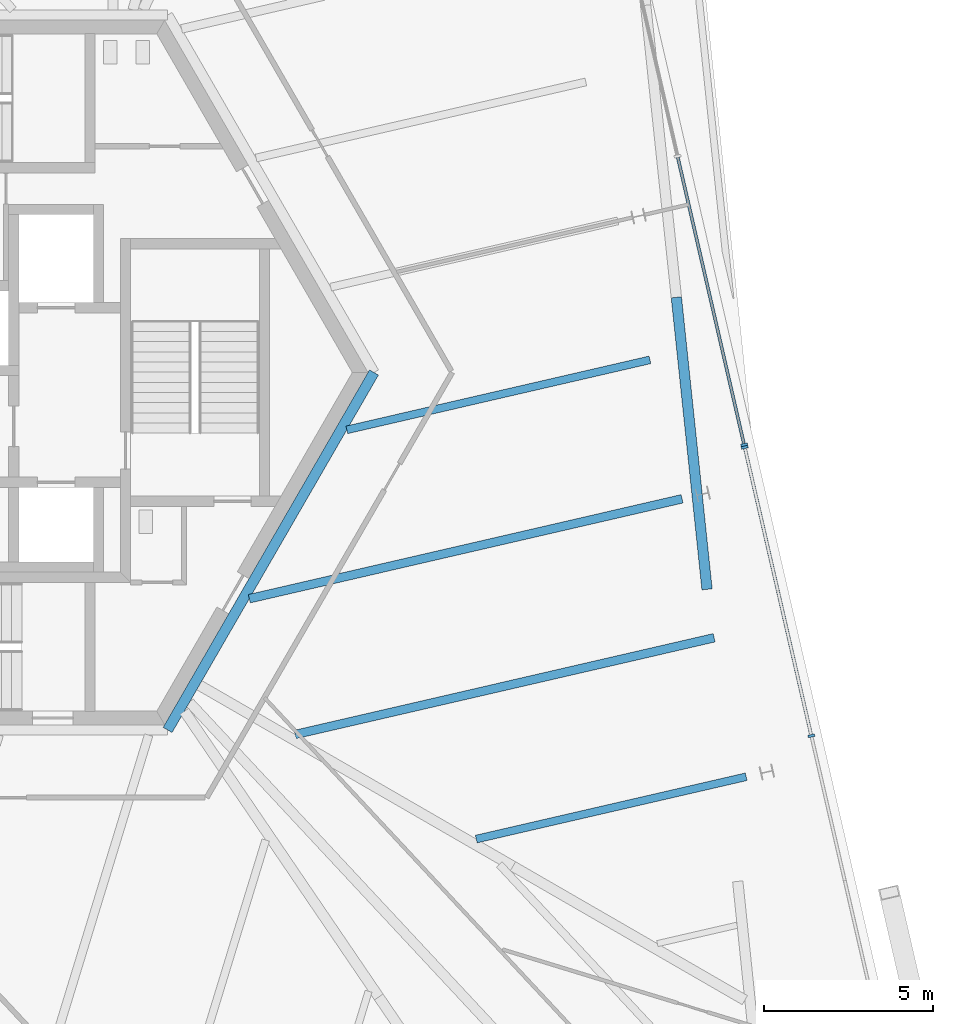
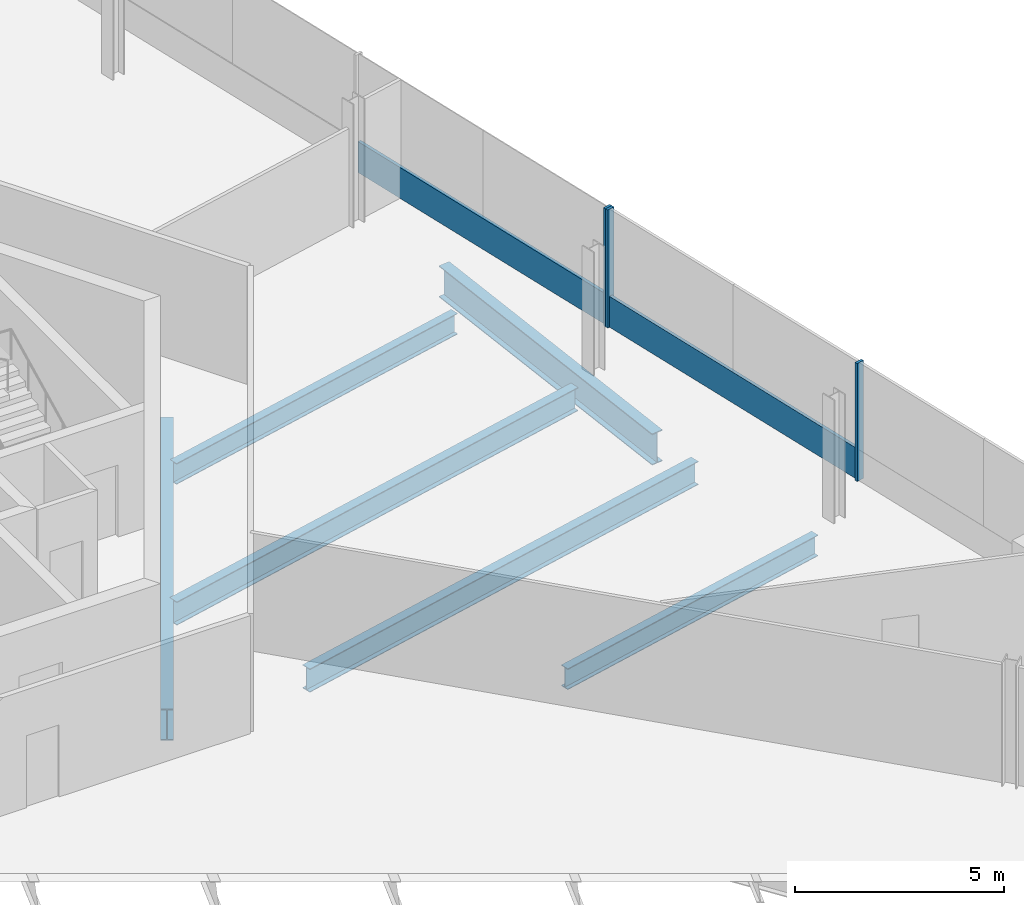
# One storey, part 7 of 25: 6 beams, 5 members, 2 elements without a shape of their own.
"""IFC4 building model written with IfcOpenShell, lengths in metres."""

from ifc_helpers import new_model, si_unit, direction, frame, origin, origin_2d, place, context, subcontext, project, spatial, rectangle, i_section, extrude, source, transform, mapped, material, material_profile, profile_set, type_object, element, aggregate, save


model = new_model("IFC4")

# Units and contexts
model_context = context("Model", 3, precision=1e-05, world=origin(), true_north=direction((0.0, 1.0)))
body_context = subcontext(model_context, "Body", "Model", "MODEL_VIEW")
ifc_project = project(units=[si_unit("LENGTHUNIT", "METRE"), si_unit("AREAUNIT", "SQUARE_METRE"), si_unit("VOLUMEUNIT", "CUBIC_METRE"), si_unit("PLANEANGLEUNIT", "RADIAN"), si_unit("MASSUNIT", "GRAM", prefix="KILO")], contexts=[model_context])

# Site, building, storey
site_placement = place(None, origin())
site = spatial("IfcSite", under=ifc_project, at=site_placement, CompositionType="ELEMENT")
building_placement = place(site_placement, origin())
building = spatial("IfcBuilding", under=site, at=building_placement, Name="Triune Harvest Tower", CompositionType="ELEMENT")
storey_placement = place(building_placement, frame((0.0, 0.0, 98.300048828125)))
storey = spatial("IfcBuildingStorey", under=building, at=storey_placement, Name="L24", CompositionType="ELEMENT", Elevation=98.300048828125)

# Beams
ifc_material_1 = material(Name="Steel ASTM A992 Gr 50", Category="steel")
ifc_material_profile_1 = material_profile(ifc_material_1, i_section(OverallWidth=0.22900390625, OverallDepth=0.612060546875, WebThickness=0.011962890625, FlangeThickness=0.01953125, at=origin_2d()), Name="W24x84")
ifc_profile_set_1 = profile_set([ifc_material_profile_1], Name="Steel ASTM A992 Gr 50")
beam_type_1 = type_object("IfcBeamType", Name="JT-3 Floor joist W24x84", PredefinedType="JOIST", material=ifc_profile_set_1)
beam_1_placement = place(storey_placement, frame((23.15673828125, -11.92529296875, -0.466064453125), z_axis=(-0.974366520216, -0.224966407007, 0.0), x_axis=(0.224966407007, -0.974366520216, 0.0)))
element("IfcBeam", 1, at=beam_1_placement, inside=storey, type_object=beam_type_1, Name="beam/L24/JT2", PredefinedType="JOIST", context=body_context, shape_type="SweptSolid", body=[
    extrude(i_section(OverallWidth=0.22900390625, OverallDepth=0.612060546875, WebThickness=0.011962890625, FlangeThickness=0.01953125, at=origin_2d()), origin(), (0.0, 0.0, 1.0), 8.1728515625),
])
ifc_material_2 = material(Name="Steel ASTM A992 Gr 50", Category="steel")
ifc_material_profile_2 = material_profile(ifc_material_2, i_section(OverallWidth=0.3046875, OverallDepth=0.914306640625, WebThickness=0.0166015625, FlangeThickness=0.02587890625, at=origin_2d()), Name="W36x160")
ifc_profile_set_2 = profile_set([ifc_material_profile_2], Name="Steel ASTM A992 Gr 50")
beam_type_2 = type_object("IfcBeamType", Name="CG-1 Core ring girder W36x160", PredefinedType="BEAM", material=ifc_profile_set_2)
shared_shape_1 = source(origin(), body_context, "Body", "SweptSolid", [
    extrude(i_section(OverallWidth=0.3046875, OverallDepth=0.914306640625, WebThickness=0.0166015625, FlangeThickness=0.02587890625, at=origin_2d()), origin(), (0.0, 0.0, 1.0), 12.176025390625),
])
beam_2_placement = place(storey_placement, frame((6.087890625, -10.544677734375, -0.6171875), z_axis=(0.5000099932, 0.866019634131, 0.0), x_axis=(-0.866019634131, 0.5000099932, 0.0)))
element("IfcBeam", 2, at=beam_2_placement, inside=storey, type_object=beam_type_2, Name="beam/L24/CG6", PredefinedType="BEAM", context=body_context, shape_type="MappedRepresentation", body=[
    mapped(shared_shape_1, transform((0.0, 0.0, 0.0), scale=1.0)),
])
ifc_material_3 = material(Name="Steel ASTM A992 Gr 50", Category="steel")
ifc_material_profile_3 = material_profile(ifc_material_3, i_section(OverallWidth=0.3046875, OverallDepth=0.914306640625, WebThickness=0.0166015625, FlangeThickness=0.02587890625, at=origin_2d()), Name="W36x160")
ifc_profile_set_3 = profile_set([ifc_material_profile_3], Name="Steel ASTM A992 Gr 50")
beam_type_3 = type_object("IfcBeamType", Name="SB-1 Spandrel beam W36x160", PredefinedType="SPANDREL", material=ifc_profile_set_3)
shared_shape_2 = source(origin(), body_context, "Body", "SweptSolid", [
    extrude(i_section(OverallWidth=0.3046875, OverallDepth=0.914306640625, WebThickness=0.0166015625, FlangeThickness=0.02587890625, at=origin_2d()), origin(), (0.0, 0.0, 1.0), 8.662109375),
])
beam_3_placement = place(storey_placement, frame((22.001708984375, -6.3974609375, -0.6171875), z_axis=(-0.104536601969, 0.994521039923, 0.0), x_axis=(-0.994521039923, -0.104536601969, 0.0)))
element("IfcBeam", 3, at=beam_3_placement, inside=storey, type_object=beam_type_3, Name="beam/L24/WB2", PredefinedType="SPANDREL", context=body_context, shape_type="MappedRepresentation", body=[
    mapped(shared_shape_2, transform((0.0, 0.0, 0.0), scale=1.0)),
])
ifc_material_4 = material(Name="Steel ASTM A992 Gr 50", Category="steel")
ifc_material_profile_4 = material_profile(ifc_material_4, i_section(OverallWidth=0.253662109375, OverallDepth=0.683349609375, WebThickness=0.012451171875, FlangeThickness=0.01904296875, at=origin_2d()), Name="W27x94")
ifc_profile_set_4 = profile_set([ifc_material_profile_4], Name="Steel ASTM A992 Gr 50")
beam_type_4 = type_object("IfcBeamType", Name="JT-4 Floor joist W27x94", PredefinedType="JOIST", material=ifc_profile_set_4)
shared_shape_3 = source(origin(), body_context, "Body", "SweptSolid", [
    extrude(i_section(OverallWidth=0.253662109375, OverallDepth=0.683349609375, WebThickness=0.012451171875, FlangeThickness=0.01904296875, at=origin_2d()), origin(), (0.0, 0.0, 1.0), 12.684814453125),
])
beam_4_placement = place(storey_placement, frame((22.21044921875, -7.825927734375, -0.501708984375), z_axis=(-0.974368808363, -0.224956496437, 0.0), x_axis=(0.224956496437, -0.974368808363, 0.0)))
element("IfcBeam", 4, at=beam_4_placement, inside=storey, type_object=beam_type_4, Name="beam/L24/JT3", PredefinedType="JOIST", context=body_context, shape_type="MappedRepresentation", body=[
    mapped(shared_shape_3, transform((0.0, 0.0, 0.0), scale=1.0)),
])
shared_shape_4 = source(origin(), body_context, "Body", "SweptSolid", [
    extrude(i_section(OverallWidth=0.253662109375, OverallDepth=0.683349609375, WebThickness=0.012451171875, FlangeThickness=0.01904296875, at=origin_2d()), origin(), (0.0, 0.0, 1.0), 13.100830078125),
])
beam_5_placement = place(storey_placement, frame((21.263916015625, -3.7265625, -0.501708984375), z_axis=(-0.974370776488, -0.224947971598, 0.0), x_axis=(0.224947971598, -0.974370776488, 0.0)))
element("IfcBeam", 5, at=beam_5_placement, inside=storey, type_object=beam_type_4, Name="beam/L24/JT4", PredefinedType="JOIST", context=body_context, shape_type="MappedRepresentation", body=[
    mapped(shared_shape_4, transform((0.0, 0.0, 0.0), scale=1.0)),
])
shared_shape_5 = source(origin(), body_context, "Body", "SweptSolid", [
    extrude(i_section(OverallWidth=0.22900390625, OverallDepth=0.612060546875, WebThickness=0.011962890625, FlangeThickness=0.01953125, at=origin_2d()), origin(), (0.0, 0.0, 1.0), 9.17724609375),
])
beam_6_placement = place(storey_placement, frame((20.3173828125, 0.372802734375, -0.466064453125), z_axis=(-0.974370118641, -0.224950821067, 0.0), x_axis=(0.224950821067, -0.974370118641, 0.0)))
element("IfcBeam", 6, at=beam_6_placement, inside=storey, type_object=beam_type_1, Name="beam/L24/JT5", PredefinedType="JOIST", context=body_context, shape_type="MappedRepresentation", body=[
    mapped(shared_shape_5, transform((0.0, 0.0, 0.0), scale=1.0)),
])

# Curtain wall, members
ifc_material_5 = material(Name="Aluminium bronze anodised", Category="aluminium")
curtain_wall_type_1 = type_object("IfcCurtainWallType", Name="CW-7 Tower stick curtain wall with insulated spandrel infill", PredefinedType="NOTDEFINED", material=ifc_material_5)
curtain_wall_1_placement = place(storey_placement, origin())
curtain_wall_1 = element("IfcCurtainWall", 7, at=curtain_wall_1_placement, inside=storey, type_object=curtain_wall_type_1, Name="CW-7 B3-F1 L24 run 101")
ifc_material_6 = material(Name="Aluminium bronze anodised", Category="aluminium")
ifc_material_profile_5 = material_profile(ifc_material_6, rectangle(XDim=0.199951171875, YDim=0.074951171875, at=origin_2d()), Name="MU-1 mullion 75 x 200")
ifc_profile_set_5 = profile_set([ifc_material_profile_5], Name="Aluminium bronze anodised")
member_type_1 = type_object("IfcMemberType", Name="MU-1 mullion 75 x 200", PredefinedType="MULLION", material=ifc_profile_set_5)
shared_shape_6 = source(origin(), body_context, "Body", "SweptSolid", [
    extrude(rectangle(XDim=0.199951171875, YDim=0.074951171875, at=origin_2d()), origin(), (0.0, 0.0, 1.0), 3.43994140625),
])
member_1_placement = place(storey_placement, frame((25.078125, -10.71826171875, 0.0), z_axis=(0.0, 0.0, 1.0), x_axis=(-0.97437034864, -0.224949824829, 0.0)))
member_1 = element("IfcMember", 8, at=member_1_placement, type_object=member_type_1, Name="CW-7 mullion B3-F1 101.3", PredefinedType="MULLION", context=body_context, shape_type="MappedRepresentation", body=[
    mapped(shared_shape_6, transform((0.0, 0.0, 0.0), scale=1.0)),
])
member_2_placement = place(storey_placement, frame((23.113037109375, -2.2060546875, 0.0), z_axis=(0.0, 0.0, 1.0), x_axis=(-0.97437034864, -0.224949824829, 0.0)))
member_2 = element("IfcMember", 9, at=member_2_placement, type_object=member_type_1, Name="CW-7 mullion B3-F1 101.5", PredefinedType="MULLION", context=body_context, shape_type="MappedRepresentation", body=[
    mapped(shared_shape_6, transform((0.0, 0.0, 0.0), scale=1.0)),
])

# Curtain wall, member
ifc_material_7 = material(Name="Aluminium bronze anodised", Category="aluminium")
curtain_wall_type_2 = type_object("IfcCurtainWallType", Name="CW-1 Tower stick curtain wall", PredefinedType="NOTDEFINED", material=ifc_material_7)
curtain_wall_2_placement = place(storey_placement, origin())
curtain_wall_2 = element("IfcCurtainWall", 10, at=curtain_wall_2_placement, inside=storey, type_object=curtain_wall_type_2, Name="CW-1 B3-F1 L24 run 1101")
member_3_placement = place(storey_placement, frame((23.095947265625, -2.133056640625, 0.0), z_axis=(0.0, 0.0, 1.0), x_axis=(-0.9743690995, -0.224955235412, 0.0)))
member_3 = element("IfcMember", 11, at=member_3_placement, type_object=member_type_1, Name="CW-1 mullion B3-F1 1101.1", PredefinedType="MULLION", context=body_context, shape_type="MappedRepresentation", body=[
    mapped(shared_shape_6, transform((0.0, 0.0, 0.0), scale=1.0)),
])

# Member
ifc_material_8 = material(Name="Aluminium bronze anodised", Category="aluminium")
ifc_material_profile_6 = material_profile(ifc_material_8, rectangle(XDim=0.090087890625, YDim=0.89990234375, at=origin_2d()), Name="TR-1 transom 90 x 900")
ifc_profile_set_6 = profile_set([ifc_material_profile_6], Name="Aluminium bronze anodised")
member_type_2 = type_object("IfcMemberType", Name="TR-1 transom 90 x 900", PredefinedType="USERDEFINED", material=ifc_profile_set_6)
shared_shape_7 = source(origin(), body_context, "Body", "SweptSolid", [
    extrude(rectangle(XDim=0.090087890625, YDim=0.89990234375, at=origin_2d()), origin(), (0.0, 0.0, 1.0), 8.660888671875),
])
member_4_placement = place(storey_placement, frame((25.069580078125, -10.681640625, 0.449951171875), z_axis=(-0.224945972331, 0.974371238046, 0.0), x_axis=(-0.974371238046, -0.224945972331, 0.0)))
member_4 = element("IfcMember", 12, at=member_4_placement, type_object=member_type_2, Name="CW-7 transom B3-F1 101.2", ObjectType="TRANSOM", PredefinedType="USERDEFINED", context=body_context, shape_type="MappedRepresentation", body=[
    mapped(shared_shape_7, transform((0.0, 0.0, 0.0), scale=1.0)),
])

aggregate(curtain_wall_1, [member_1, member_2, member_4])

member_5_placement = place(storey_placement, frame((23.087646484375, -2.096435546875, 0.449951171875), z_axis=(-0.224945972331, 0.974371238046, 0.0), x_axis=(-0.974371238046, -0.224945972331, 0.0)))
member_5 = element("IfcMember", 13, at=member_5_placement, type_object=member_type_2, Name="CW-1 transom B3-F1 1101.1", ObjectType="TRANSOM", PredefinedType="USERDEFINED", context=body_context, shape_type="MappedRepresentation", body=[
    mapped(shared_shape_7, transform((0.0, 0.0, 0.0), scale=1.0)),
])

aggregate(curtain_wall_2, [member_3, member_5])

save(model, "model.ifc")
